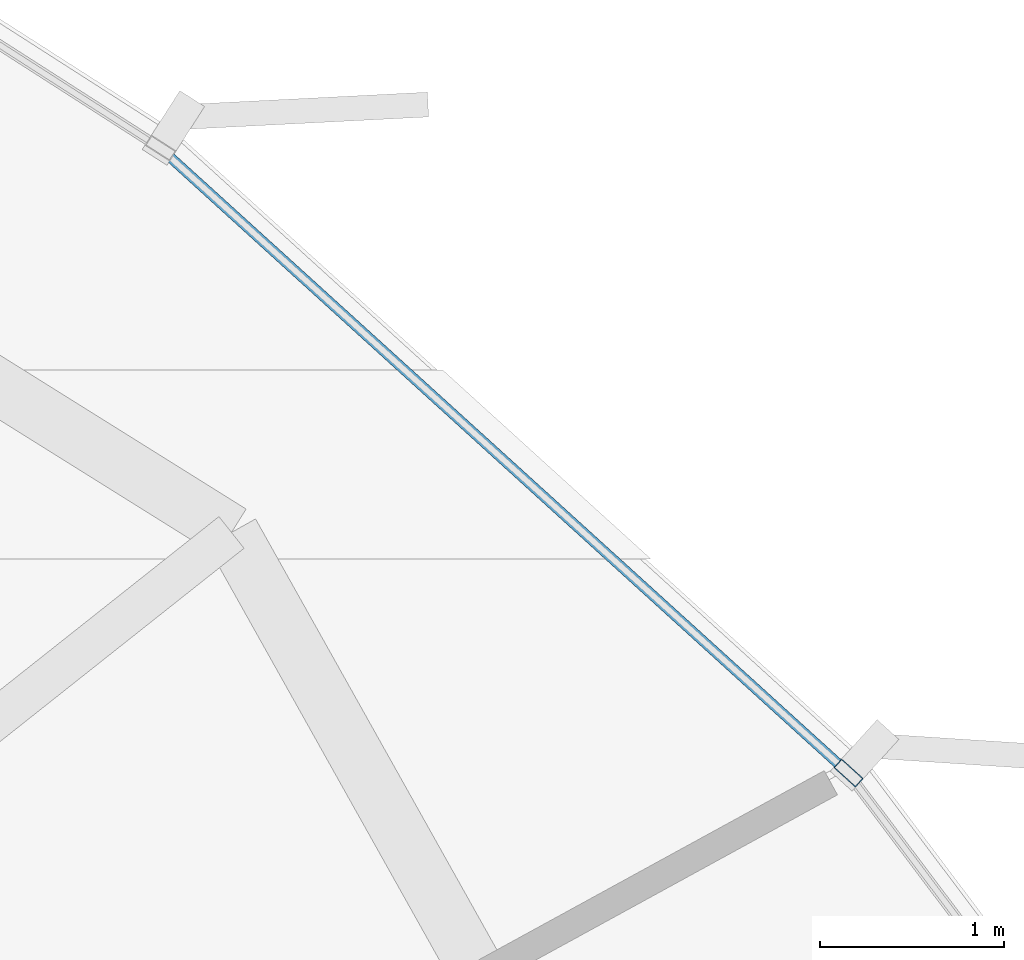
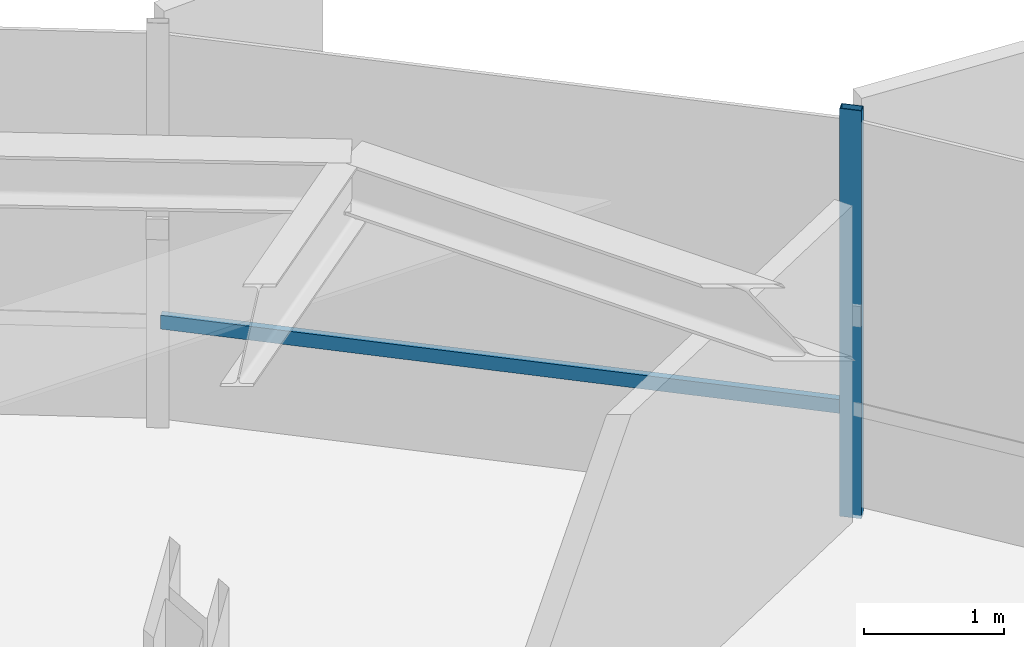
# One storey, part 25 of 37: 2 members, 1 element without a shape of its own.
"""IFC4 building model written with IfcOpenShell, lengths in metres."""

from ifc_helpers import new_model, si_unit, direction, frame, origin, origin_2d, place, context, subcontext, project, spatial, hollow_rectangle, extrude, source, transform, mapped, material, layer, layer_set, material_profile, profile_set, type_object, element, aggregate, save


model = new_model("IFC4")

# Units and contexts
model_context = context("Model", 3, precision=1e-05, world=origin(), true_north=direction((0.0, 1.0)))
body_context = subcontext(model_context, "Body", "Model", "MODEL_VIEW")
ifc_project = project(units=[si_unit("LENGTHUNIT", "METRE"), si_unit("AREAUNIT", "SQUARE_METRE"), si_unit("VOLUMEUNIT", "CUBIC_METRE"), si_unit("PLANEANGLEUNIT", "RADIAN"), si_unit("MASSUNIT", "GRAM", prefix="KILO"), si_unit("THERMODYNAMICTEMPERATUREUNIT", "KELVIN")], contexts=[model_context])

# Site, building, storey
site_placement = place(None, origin())
site = spatial("IfcSite", under=ifc_project, at=site_placement, CompositionType="ELEMENT")
building_placement = place(site_placement, origin())
building = spatial("IfcBuilding", under=site, at=building_placement, Name="Kethvar Cultural Tower", CompositionType="ELEMENT")
storey_placement = place(building_placement, frame((0.0, 0.0, 48.60009765625)))
storey = spatial("IfcBuildingStorey", under=building, at=storey_placement, Name="L11", CompositionType="ELEMENT", Elevation=48.60009765625)

# Curtain wall, members
ifc_material = material(Name="Aluminium 6063-T6", Category="aluminium")
ifc_layer = layer(ifc_material, 0.179931640625, Name="Aluminium 6063-T6", Category="aluminium")
ifc_layer_set = layer_set([ifc_layer], Name="Aluminium 6063-T6 (180 mm)")
curtain_wall_type = type_object("IfcCurtainWallType", Name="CW-SYS-02-Z1", PredefinedType="NOTDEFINED", material=ifc_layer_set)
curtain_wall_placement = place(storey_placement, origin())
curtain_wall = element("IfcCurtainWall", 1, at=curtain_wall_placement, inside=storey, type_object=curtain_wall_type, Name="L11 Curtain Wall Run 01", PredefinedType="NOTDEFINED")
ifc_material_profile_1 = material_profile(ifc_material, hollow_rectangle(XDim=0.06494140625, YDim=0.159912109375, WallThickness=0.0048828125, at=origin_2d()), Name="Aluminium 6063-T6 — RHS160x65x5")
ifc_profile_set_1 = profile_set([ifc_material_profile_1], Name="Aluminium 6063-T6 — RHS160x65x5")
member_type_1 = type_object("IfcMemberType", Name="CW-SYS-02-Z1-MUL", PredefinedType="MULLION", material=ifc_profile_set_1)
shared_shape_1 = source(origin(), body_context, "Body", "SweptSolid", [
    extrude(hollow_rectangle(XDim=0.06494140625, YDim=0.159912109375, WallThickness=0.0048828125, at=origin_2d()), origin(), (0.0, 0.0, 1.0), 3.5498046875),
])
member_1_placement = place(storey_placement, frame((74.2041015625, 42.8671875, 0.0), z_axis=(0.0, 0.0, 1.0), x_axis=(-0.672121304843, -0.74044105206, 0.0)))
member_1 = element("IfcMember", 2, at=member_1_placement, type_object=member_type_1, Name="CW-L11-R01 Mullion 4", PredefinedType="MULLION", context=body_context, shape_type="MappedRepresentation", body=[
    mapped(shared_shape_1, transform((0.0, 0.0, 0.0), scale=1.0)),
])
ifc_material_profile_2 = material_profile(ifc_material, hollow_rectangle(XDim=0.054931640625, YDim=0.1201171875, WallThickness=0.00390625, at=origin_2d()), Name="Aluminium 6063-T6 — RHS120x55x4")
ifc_profile_set_2 = profile_set([ifc_material_profile_2], Name="Aluminium 6063-T6 — RHS120x55x4")
member_type_2 = type_object("IfcMemberType", Name="CW-SYS-02-Z1-TRN", PredefinedType="USERDEFINED", material=ifc_profile_set_2)
shared_shape_2 = source(origin(), body_context, "Body", "SweptSolid", [
    extrude(hollow_rectangle(XDim=0.054931640625, YDim=0.1201171875, WallThickness=0.00390625, at=origin_2d()), origin(), (0.0, 0.0, 1.0), 4.98681640625),
])
member_2_placement = place(storey_placement, frame((74.16943359375, 42.898681640625, 0.949951171875), z_axis=(-0.740429449925, 0.67213408609, 0.0), x_axis=(-0.67213408609, -0.740429449925, 0.0)))
member_2 = element("IfcMember", 3, at=member_2_placement, type_object=member_type_2, Name="CW-L11-R01 Transom 4", ObjectType="TRANSOM", PredefinedType="USERDEFINED", context=body_context, shape_type="MappedRepresentation", body=[
    mapped(shared_shape_2, transform((0.0, 0.0, 0.0), scale=1.0)),
])
aggregate(curtain_wall, [member_1, member_2])

save(model, "model.ifc")
